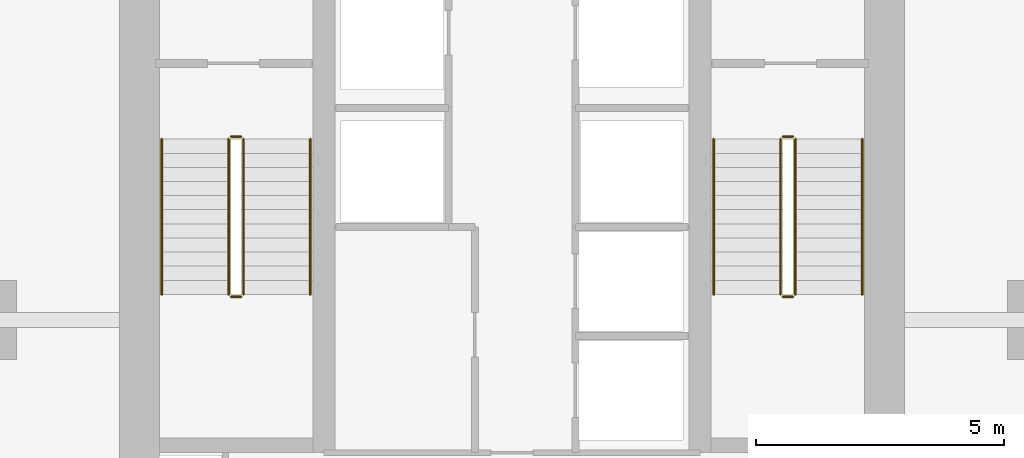
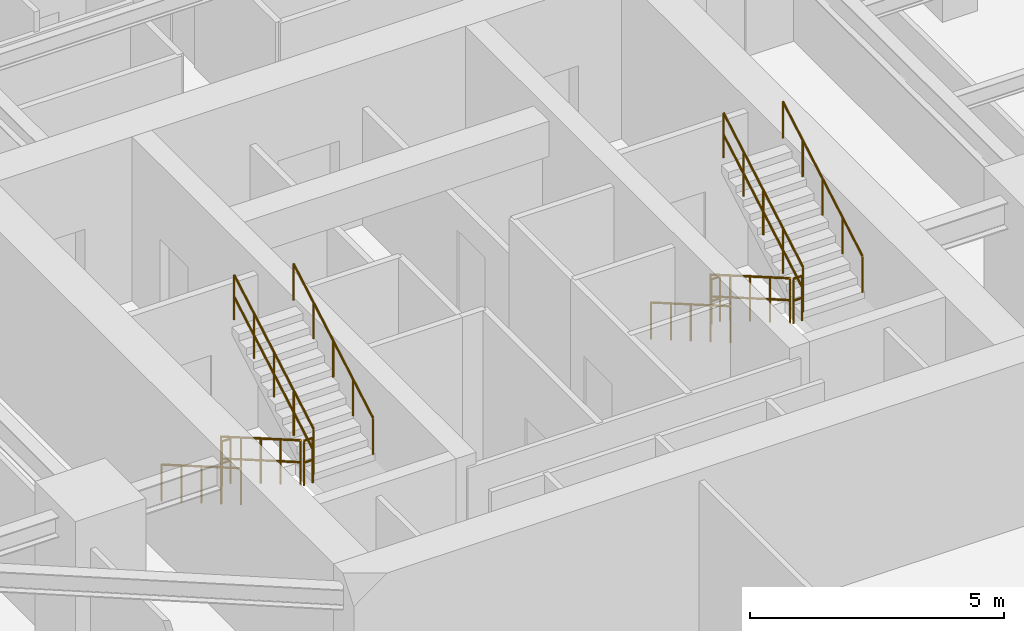
# One storey, part 23 of 24: 12 railings.
"""IFC4 building model written with IfcOpenShell, lengths in metres."""

from ifc_helpers import new_model, si_unit, direction, frame, origin, origin_2d, place, context, subcontext, project, spatial, circle, extrude, material, layer, layer_set, type_object, element, save


model = new_model("IFC4")

# Units and contexts
model_context = context("Model", 3, precision=1e-05, world=origin(), true_north=direction((0.0, 1.0)))
body_context = subcontext(model_context, "Body", "Model", "MODEL_VIEW")
ifc_project = project(units=[si_unit("LENGTHUNIT", "METRE"), si_unit("AREAUNIT", "SQUARE_METRE"), si_unit("VOLUMEUNIT", "CUBIC_METRE"), si_unit("PLANEANGLEUNIT", "RADIAN"), si_unit("MASSUNIT", "GRAM", prefix="KILO")], contexts=[model_context])

# Site, building, storey
site_placement = place(None, origin())
site = spatial("IfcSite", under=ifc_project, at=site_placement, CompositionType="ELEMENT")
building_placement = place(site_placement, origin())
building = spatial("IfcBuilding", under=site, at=building_placement, Name="Krantzveldt Concourse Tower", CompositionType="ELEMENT")
storey_placement = place(building_placement, frame((0.0, 0.0, 254.699951171875)))
storey = spatial("IfcBuildingStorey", under=building, at=storey_placement, Name="L62", CompositionType="ELEMENT", Elevation=254.699951171875)

# Railings
ifc_material = material(Name="Stainless steel 316L", Category="steel")
ifc_layer_1 = layer(ifc_material, 0.06005859375, Name="Stainless steel 316L", Category="steel")
ifc_layer_set_1 = layer_set([ifc_layer_1], Name="Stainless steel 316L (RL-GUARD-1120)")
railing_type_1 = type_object("IfcRailingType", Name="RL-GUARD-1120", PredefinedType="GUARDRAIL", material=ifc_layer_set_1)
railing_1_placement = place(storey_placement, frame((30.280029296875, 19.550048828125, 0.16455078125)))
element("IfcRailing", 1, at=railing_1_placement, inside=storey, type_object=railing_type_1, Name="L62 ST-1 stair guard 1", PredefinedType="GUARDRAIL", context=body_context, shape_type="SweptSolid", body=[
    extrude(circle(Radius=0.02392578125, at=origin_2d()), frame((0.0, 0.0, 1.076171875), z_axis=(0.0, -0.865959834175, 0.500113552702), x_axis=(1.0, 0.0, 0.0)), (0.0, 0.0, 1.0), 3.620361328125),
    extrude(circle(Radius=0.02392578125, at=origin_2d()), frame((0.0, 0.0, 0.550048828125), z_axis=(0.0, -0.865959834175, 0.500113552702), x_axis=(1.0, 0.0, 0.0)), (0.0, 0.0, 1.0), 3.620361328125),
    extrude(circle(Radius=0.02099609375, at=origin_2d()), origin(), (0.0, 0.0, 1.0), 1.052001953125),
    extrude(circle(Radius=0.02099609375, at=origin_2d()), frame((0.0, -0.78369140625, 0.45263671875)), (0.0, 0.0, 1.0), 1.052001953125),
    extrude(circle(Radius=0.02099609375, at=origin_2d()), frame((0.0, -1.5673828125, 0.9052734375)), (0.0, 0.0, 1.0), 1.052001953125),
    extrude(circle(Radius=0.02099609375, at=origin_2d()), frame((0.0, -2.351318359375, 1.35791015625)), (0.0, 0.0, 1.0), 1.052001953125),
    extrude(circle(Radius=0.02099609375, at=origin_2d()), frame((0.0, -3.135009765625, 1.810546875)), (0.0, 0.0, 1.0), 1.052001953125),
])
railing_2_placement = place(storey_placement, frame((30.330078125, 16.364990234375, 1.97509765625)))
element("IfcRailing", 2, at=railing_2_placement, inside=storey, type_object=railing_type_1, Name="L62 ST-1 stair guard 2", PredefinedType="GUARDRAIL", context=body_context, shape_type="SweptSolid", body=[
    extrude(circle(Radius=0.02392578125, at=origin_2d()), frame((0.0, 0.0, 1.076171875), z_axis=(1.0, 0.0, 0.0), x_axis=(0.0, 1.0, 0.0)), (0.0, 0.0, 1.0), 0.199951171875),
    extrude(circle(Radius=0.02392578125, at=origin_2d()), frame((0.0, 0.0, 0.550048828125), z_axis=(1.0, 0.0, 0.0), x_axis=(0.0, 1.0, 0.0)), (0.0, 0.0, 1.0), 0.199951171875),
    extrude(circle(Radius=0.02099609375, at=origin_2d()), origin(), (0.0, 0.0, 1.0), 1.052001953125),
    extrude(circle(Radius=0.02099609375, at=origin_2d()), frame((0.199951171875, 0.0, 0.0)), (0.0, 0.0, 1.0), 1.052001953125),
])
railing_3_placement = place(storey_placement, frame((30.580078125, 16.4150390625, 2.1396484375)))
element("IfcRailing", 3, at=railing_3_placement, inside=storey, type_object=railing_type_1, Name="L62 ST-1 stair guard 3", PredefinedType="GUARDRAIL", context=body_context, shape_type="SweptSolid", body=[
    extrude(circle(Radius=0.02392578125, at=origin_2d()), frame((0.0, 0.0, 1.076171875), z_axis=(0.0, 0.865989039225, 0.500062979975), x_axis=(-1.0, 0.0, 0.0)), (0.0, 0.0, 1.0), 3.6201171875),
    extrude(circle(Radius=0.02392578125, at=origin_2d()), frame((0.0, 0.0, 0.550048828125), z_axis=(0.0, 0.865989039225, 0.500062979975), x_axis=(-1.0, 0.0, 0.0)), (0.0, 0.0, 1.0), 3.6201171875),
    extrude(circle(Radius=0.02099609375, at=origin_2d()), origin(), (0.0, 0.0, 1.0), 1.052001953125),
    extrude(circle(Radius=0.02099609375, at=origin_2d()), frame((0.0, 0.78369140625, 0.45263671875)), (0.0, 0.0, 1.0), 1.052001953125),
    extrude(circle(Radius=0.02099609375, at=origin_2d()), frame((0.0, 1.5673828125, 0.9052734375)), (0.0, 0.0, 1.0), 1.052001953125),
    extrude(circle(Radius=0.02099609375, at=origin_2d()), frame((0.0, 2.351318359375, 1.357666015625)), (0.0, 0.0, 1.0), 1.052001953125),
    extrude(circle(Radius=0.02099609375, at=origin_2d()), frame((0.0, 3.135009765625, 1.810302734375)), (0.0, 0.0, 1.0), 1.052001953125),
])
railing_4_placement = place(storey_placement, frame((30.330078125, 19.60009765625, 0.0)))
element("IfcRailing", 4, at=railing_4_placement, inside=storey, type_object=railing_type_1, Name="L62 ST-1 stair guard 4", PredefinedType="GUARDRAIL", context=body_context, shape_type="SweptSolid", body=[
    extrude(circle(Radius=0.02392578125, at=origin_2d()), frame((0.0, 0.0, 1.076171875), z_axis=(1.0, 0.0, 0.0), x_axis=(0.0, 1.0, 0.0)), (0.0, 0.0, 1.0), 0.199951171875),
    extrude(circle(Radius=0.02392578125, at=origin_2d()), frame((0.0, 0.0, 0.550048828125), z_axis=(1.0, 0.0, 0.0), x_axis=(0.0, 1.0, 0.0)), (0.0, 0.0, 1.0), 0.199951171875),
    extrude(circle(Radius=0.02099609375, at=origin_2d()), origin(), (0.0, 0.0, 1.0), 1.052001953125),
    extrude(circle(Radius=0.02099609375, at=origin_2d()), frame((0.199951171875, 0.0, 0.0)), (0.0, 0.0, 1.0), 1.052001953125),
])
railing_5_placement = place(storey_placement, frame((41.419921875, 19.550048828125, 0.16455078125)))
element("IfcRailing", 5, at=railing_5_placement, inside=storey, type_object=railing_type_1, Name="L62 ST-2 stair guard 1", PredefinedType="GUARDRAIL", context=body_context, shape_type="SweptSolid", body=[
    extrude(circle(Radius=0.02392578125, at=origin_2d()), frame((0.0, 0.0, 1.076171875), z_axis=(0.0, -0.865959834175, 0.500113552702), x_axis=(1.0, 0.0, 0.0)), (0.0, 0.0, 1.0), 3.620361328125),
    extrude(circle(Radius=0.02392578125, at=origin_2d()), frame((0.0, 0.0, 0.550048828125), z_axis=(0.0, -0.865959834175, 0.500113552702), x_axis=(1.0, 0.0, 0.0)), (0.0, 0.0, 1.0), 3.620361328125),
    extrude(circle(Radius=0.02099609375, at=origin_2d()), origin(), (0.0, 0.0, 1.0), 1.052001953125),
    extrude(circle(Radius=0.02099609375, at=origin_2d()), frame((0.0, -0.78369140625, 0.45263671875)), (0.0, 0.0, 1.0), 1.052001953125),
    extrude(circle(Radius=0.02099609375, at=origin_2d()), frame((0.0, -1.5673828125, 0.9052734375)), (0.0, 0.0, 1.0), 1.052001953125),
    extrude(circle(Radius=0.02099609375, at=origin_2d()), frame((0.0, -2.351318359375, 1.35791015625)), (0.0, 0.0, 1.0), 1.052001953125),
    extrude(circle(Radius=0.02099609375, at=origin_2d()), frame((0.0, -3.135009765625, 1.810546875)), (0.0, 0.0, 1.0), 1.052001953125),
])
railing_6_placement = place(storey_placement, frame((41.469970703125, 16.364990234375, 1.97509765625)))
element("IfcRailing", 6, at=railing_6_placement, inside=storey, type_object=railing_type_1, Name="L62 ST-2 stair guard 2", PredefinedType="GUARDRAIL", context=body_context, shape_type="SweptSolid", body=[
    extrude(circle(Radius=0.02392578125, at=origin_2d()), frame((0.0, 0.0, 1.076171875), z_axis=(1.0, 0.0, 0.0), x_axis=(0.0, 1.0, 0.0)), (0.0, 0.0, 1.0), 0.199951171875),
    extrude(circle(Radius=0.02392578125, at=origin_2d()), frame((0.0, 0.0, 0.550048828125), z_axis=(1.0, 0.0, 0.0), x_axis=(0.0, 1.0, 0.0)), (0.0, 0.0, 1.0), 0.199951171875),
    extrude(circle(Radius=0.02099609375, at=origin_2d()), origin(), (0.0, 0.0, 1.0), 1.052001953125),
    extrude(circle(Radius=0.02099609375, at=origin_2d()), frame((0.199951171875, 0.0, 0.0)), (0.0, 0.0, 1.0), 1.052001953125),
])
railing_7_placement = place(storey_placement, frame((41.719970703125, 16.4150390625, 2.1396484375)))
element("IfcRailing", 7, at=railing_7_placement, inside=storey, type_object=railing_type_1, Name="L62 ST-2 stair guard 3", PredefinedType="GUARDRAIL", context=body_context, shape_type="SweptSolid", body=[
    extrude(circle(Radius=0.02392578125, at=origin_2d()), frame((0.0, 0.0, 1.076171875), z_axis=(0.0, 0.865989039225, 0.500062979975), x_axis=(-1.0, 0.0, 0.0)), (0.0, 0.0, 1.0), 3.6201171875),
    extrude(circle(Radius=0.02392578125, at=origin_2d()), frame((0.0, 0.0, 0.550048828125), z_axis=(0.0, 0.865989039225, 0.500062979975), x_axis=(-1.0, 0.0, 0.0)), (0.0, 0.0, 1.0), 3.6201171875),
    extrude(circle(Radius=0.02099609375, at=origin_2d()), origin(), (0.0, 0.0, 1.0), 1.052001953125),
    extrude(circle(Radius=0.02099609375, at=origin_2d()), frame((0.0, 0.78369140625, 0.45263671875)), (0.0, 0.0, 1.0), 1.052001953125),
    extrude(circle(Radius=0.02099609375, at=origin_2d()), frame((0.0, 1.5673828125, 0.9052734375)), (0.0, 0.0, 1.0), 1.052001953125),
    extrude(circle(Radius=0.02099609375, at=origin_2d()), frame((0.0, 2.351318359375, 1.357666015625)), (0.0, 0.0, 1.0), 1.052001953125),
    extrude(circle(Radius=0.02099609375, at=origin_2d()), frame((0.0, 3.135009765625, 1.810302734375)), (0.0, 0.0, 1.0), 1.052001953125),
])
railing_8_placement = place(storey_placement, frame((41.469970703125, 19.60009765625, 0.0)))
element("IfcRailing", 8, at=railing_8_placement, inside=storey, type_object=railing_type_1, Name="L62 ST-2 stair guard 4", PredefinedType="GUARDRAIL", context=body_context, shape_type="SweptSolid", body=[
    extrude(circle(Radius=0.02392578125, at=origin_2d()), frame((0.0, 0.0, 1.076171875), z_axis=(1.0, 0.0, 0.0), x_axis=(0.0, 1.0, 0.0)), (0.0, 0.0, 1.0), 0.199951171875),
    extrude(circle(Radius=0.02392578125, at=origin_2d()), frame((0.0, 0.0, 0.550048828125), z_axis=(1.0, 0.0, 0.0), x_axis=(0.0, 1.0, 0.0)), (0.0, 0.0, 1.0), 0.199951171875),
    extrude(circle(Radius=0.02099609375, at=origin_2d()), origin(), (0.0, 0.0, 1.0), 1.052001953125),
    extrude(circle(Radius=0.02099609375, at=origin_2d()), frame((0.199951171875, 0.0, 0.0)), (0.0, 0.0, 1.0), 1.052001953125),
])
ifc_layer_2 = layer(ifc_material, 0.050048828125, Name="Stainless steel 316L", Category="steel")
ifc_layer_set_2 = layer_set([ifc_layer_2], Name="Stainless steel 316L (RL-HANDRAIL-920)")
railing_type_2 = type_object("IfcRailingType", Name="RL-HANDRAIL-920", PredefinedType="HANDRAIL", material=ifc_layer_set_2)
railing_9_placement = place(storey_placement, frame((28.929931640625, 19.550048828125, 0.16455078125)))
element("IfcRailing", 9, at=railing_9_placement, inside=storey, type_object=railing_type_2, Name="L62 ST-1 stair handrail 1", PredefinedType="HANDRAIL", context=body_context, shape_type="SweptSolid", body=[
    extrude(circle(Radius=0.02392578125, at=origin_2d()), frame((0.0, 0.0, 0.8759765625), z_axis=(0.0, -0.865959834175, 0.500113552702), x_axis=(1.0, 0.0, 0.0)), (0.0, 0.0, 1.0), 3.620361328125),
    extrude(circle(Radius=0.02099609375, at=origin_2d()), origin(), (0.0, 0.0, 1.0), 0.851806640625),
    extrude(circle(Radius=0.02099609375, at=origin_2d()), frame((0.0, -0.78369140625, 0.45263671875)), (0.0, 0.0, 1.0), 0.851806640625),
    extrude(circle(Radius=0.02099609375, at=origin_2d()), frame((0.0, -1.5673828125, 0.9052734375)), (0.0, 0.0, 1.0), 0.851806640625),
    extrude(circle(Radius=0.02099609375, at=origin_2d()), frame((0.0, -2.351318359375, 1.35791015625)), (0.0, 0.0, 1.0), 0.851806640625),
    extrude(circle(Radius=0.02099609375, at=origin_2d()), frame((0.0, -3.135009765625, 1.810546875)), (0.0, 0.0, 1.0), 0.851806640625),
])
railing_10_placement = place(storey_placement, frame((31.929931640625, 16.4150390625, 2.1396484375)))
element("IfcRailing", 10, at=railing_10_placement, inside=storey, type_object=railing_type_2, Name="L62 ST-1 stair handrail 2", PredefinedType="HANDRAIL", context=body_context, shape_type="SweptSolid", body=[
    extrude(circle(Radius=0.02392578125, at=origin_2d()), frame((0.0, 0.0, 0.8759765625), z_axis=(0.0, 0.865989039225, 0.500062979975), x_axis=(-1.0, 0.0, 0.0)), (0.0, 0.0, 1.0), 3.6201171875),
    extrude(circle(Radius=0.02099609375, at=origin_2d()), origin(), (0.0, 0.0, 1.0), 0.851806640625),
    extrude(circle(Radius=0.02099609375, at=origin_2d()), frame((0.0, 0.78369140625, 0.45263671875)), (0.0, 0.0, 1.0), 0.851806640625),
    extrude(circle(Radius=0.02099609375, at=origin_2d()), frame((0.0, 1.5673828125, 0.9052734375)), (0.0, 0.0, 1.0), 0.851806640625),
    extrude(circle(Radius=0.02099609375, at=origin_2d()), frame((0.0, 2.351318359375, 1.357666015625)), (0.0, 0.0, 1.0), 0.851806640625),
    extrude(circle(Radius=0.02099609375, at=origin_2d()), frame((0.0, 3.135009765625, 1.810302734375)), (0.0, 0.0, 1.0), 0.851806640625),
])
railing_11_placement = place(storey_placement, frame((40.070068359375, 19.550048828125, 0.16455078125)))
element("IfcRailing", 11, at=railing_11_placement, inside=storey, type_object=railing_type_2, Name="L62 ST-2 stair handrail 1", PredefinedType="HANDRAIL", context=body_context, shape_type="SweptSolid", body=[
    extrude(circle(Radius=0.02392578125, at=origin_2d()), frame((0.0, 0.0, 0.8759765625), z_axis=(0.0, -0.865959834175, 0.500113552702), x_axis=(1.0, 0.0, 0.0)), (0.0, 0.0, 1.0), 3.620361328125),
    extrude(circle(Radius=0.02099609375, at=origin_2d()), origin(), (0.0, 0.0, 1.0), 0.851806640625),
    extrude(circle(Radius=0.02099609375, at=origin_2d()), frame((0.0, -0.78369140625, 0.45263671875)), (0.0, 0.0, 1.0), 0.851806640625),
    extrude(circle(Radius=0.02099609375, at=origin_2d()), frame((0.0, -1.5673828125, 0.9052734375)), (0.0, 0.0, 1.0), 0.851806640625),
    extrude(circle(Radius=0.02099609375, at=origin_2d()), frame((0.0, -2.351318359375, 1.35791015625)), (0.0, 0.0, 1.0), 0.851806640625),
    extrude(circle(Radius=0.02099609375, at=origin_2d()), frame((0.0, -3.135009765625, 1.810546875)), (0.0, 0.0, 1.0), 0.851806640625),
])
railing_12_placement = place(storey_placement, frame((43.070068359375, 16.4150390625, 2.1396484375)))
element("IfcRailing", 12, at=railing_12_placement, inside=storey, type_object=railing_type_2, Name="L62 ST-2 stair handrail 2", PredefinedType="HANDRAIL", context=body_context, shape_type="SweptSolid", body=[
    extrude(circle(Radius=0.02392578125, at=origin_2d()), frame((0.0, 0.0, 0.8759765625), z_axis=(0.0, 0.865989039225, 0.500062979975), x_axis=(-1.0, 0.0, 0.0)), (0.0, 0.0, 1.0), 3.6201171875),
    extrude(circle(Radius=0.02099609375, at=origin_2d()), origin(), (0.0, 0.0, 1.0), 0.851806640625),
    extrude(circle(Radius=0.02099609375, at=origin_2d()), frame((0.0, 0.78369140625, 0.45263671875)), (0.0, 0.0, 1.0), 0.851806640625),
    extrude(circle(Radius=0.02099609375, at=origin_2d()), frame((0.0, 1.5673828125, 0.9052734375)), (0.0, 0.0, 1.0), 0.851806640625),
    extrude(circle(Radius=0.02099609375, at=origin_2d()), frame((0.0, 2.351318359375, 1.357666015625)), (0.0, 0.0, 1.0), 0.851806640625),
    extrude(circle(Radius=0.02099609375, at=origin_2d()), frame((0.0, 3.135009765625, 1.810302734375)), (0.0, 0.0, 1.0), 0.851806640625),
])

save(model, "model.ifc")
